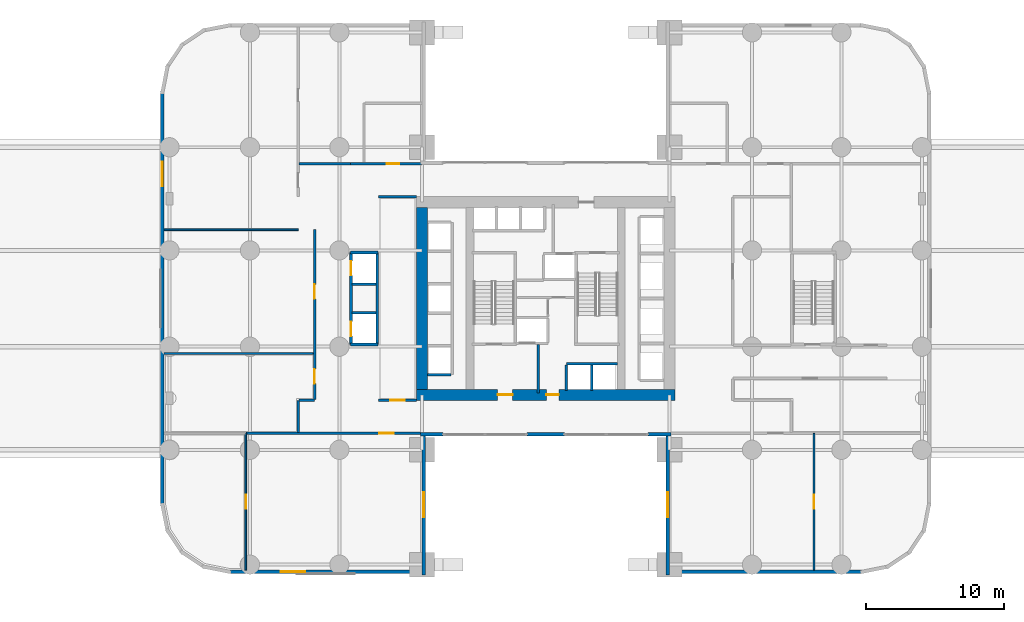
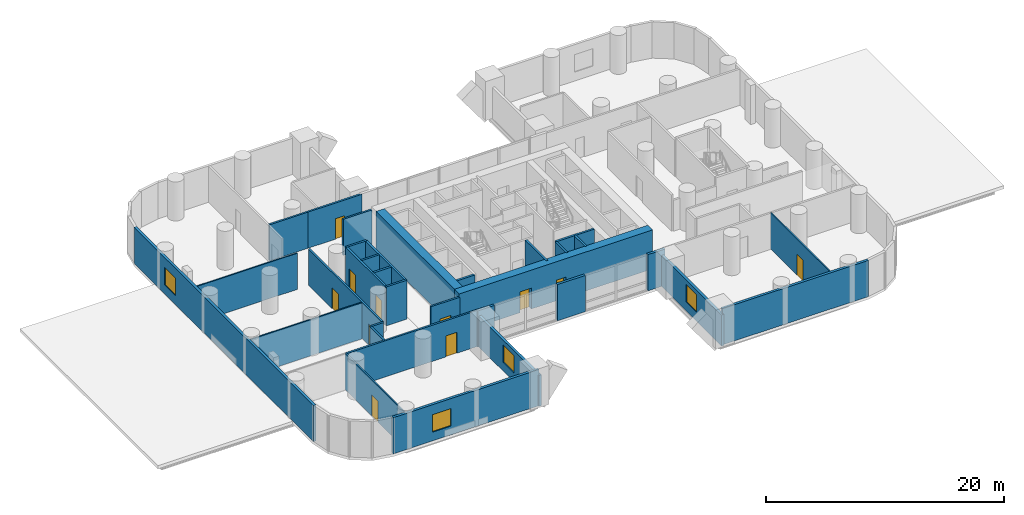
# One storey, part 4 of 8: 33 walls, 11 doors, 4 windows, 15 openings.
"""IFC4 building model written with IfcOpenShell, lengths in metres."""

from ifc_helpers import new_model, si_unit, direction, frame, frame_2d, origin, place, context, subcontext, project, spatial, rectangle, extrude, material, layer, layer_set, type_object, element, fill, save


model = new_model("IFC4")

# Units and contexts
model_context = context("Model", 3, precision=1e-05, world=origin(), true_north=direction((0.0, 1.0)))
body_context = subcontext(model_context, "Body", "Model", "MODEL_VIEW")
ifc_project = project(units=[si_unit("LENGTHUNIT", "METRE"), si_unit("AREAUNIT", "SQUARE_METRE"), si_unit("VOLUMEUNIT", "CUBIC_METRE"), si_unit("PLANEANGLEUNIT", "RADIAN"), si_unit("MASSUNIT", "GRAM", prefix="KILO")], contexts=[model_context])

# Site, building, storey
site_placement = place(None, origin())
site = spatial("IfcSite", under=ifc_project, at=site_placement, CompositionType="ELEMENT")
building_placement = place(site_placement, origin())
building = spatial("IfcBuilding", under=site, at=building_placement, Name="Veldorim Arch Residences", CompositionType="ELEMENT")
storey_placement = place(building_placement, frame((0.0, 0.0, 4.0)))
storey = spatial("IfcBuildingStorey", under=building, at=storey_placement, Name="L01", CompositionType="ELEMENT", Elevation=4.0)

# Wall, opening, door
ifc_material_1 = material(Name="Acoustic Gypsum Board", Category="gypsum")
ifc_layer_1 = layer(ifc_material_1, 0.125, Name="Acoustic Stud Room Partition Wall 125")
ifc_layer_set_1 = layer_set([ifc_layer_1], Name="Acoustic Gypsum Board")
wall_type_1 = type_object("IfcWallType", Name="Acoustic Stud Room Partition Wall 125", PredefinedType="PARTITIONING", material=ifc_layer_set_1)
wall_1_placement = place(storey_placement, frame((10.199951171875, 14.199951171875, 0.0), z_axis=(0.0, 0.0, 1.0), x_axis=(0.0, -1.0, 0.0)))
wall_1 = element("IfcWall", 1, at=wall_1_placement, inside=storey, type_object=wall_type_1, Name="L01 interior wall WL-POD-L01-021", PredefinedType="PARTITIONING", context=body_context, shape_type="SweptSolid", body=[
    extrude(rectangle(XDim=9.949951171875, YDim=0.125, at=frame_2d((4.97509765625, 0.0))), origin(), (0.0, 0.0, 1.0), 3.715087890625),
])
opening_1_placement = place(wall_1_placement, frame((4.449951171875, 0.0, 0.0)))
opening_1 = element("IfcOpeningElement", 2, at=opening_1_placement, cuts=wall_1, Name="Opening DR-CLN", PredefinedType="OPENING", context=body_context, shape_type="SweptSolid", body=[
    extrude(rectangle(XDim=1.050048828125, YDim=2.14990234375, at=frame_2d((0.52490234375, 1.074951171875))), frame((0.0, 0.072509765625, 0.0), z_axis=(0.0, -1.0, 0.0), x_axis=(1.0, 0.0, 0.0)), (0.0, 0.0, 1.0), 0.14501953125),
])
ifc_material_2 = material(Name="Timber & Vision Panel", Category="wood")
door_type_1 = type_object("IfcDoorType", Name="Polyclinic Wheelchair-Accessible Consultation Door 1050x2150", OperationType="SINGLE_SWING_LEFT", PredefinedType="DOOR", material=ifc_material_2)
door_1_placement = place(opening_1_placement, origin())
door_1 = element("IfcDoor", 3, at=door_1_placement, inside=storey, type_object=door_type_1, Name="L01 interior door DR-POD-L01-001", OperationType="SINGLE_SWING_LEFT", OverallHeight=2.14990234375, OverallWidth=1.050048828125, PredefinedType="DOOR", context=body_context, shape_type="SweptSolid", body=[
    extrude(rectangle(XDim=1.050048828125, YDim=2.14990234375, at=frame_2d((0.52490234375, 1.074951171875))), frame((0.0, 0.02490234375, 0.0), z_axis=(0.0, -1.0, 0.0), x_axis=(1.0, 0.0, 0.0)), (0.0, 0.0, 1.0), 0.050048828125),
])
fill(opening_1, door_1)

# Walls
wall_2_placement = place(storey_placement, frame((4.25, 20.0, 0.0), z_axis=(0.0, 0.0, 1.0), x_axis=(1.0, 0.0, 0.0)))
element("IfcWall", 4, at=wall_2_placement, inside=storey, type_object=wall_type_1, Name="L01 interior wall WL-POD-L01-023", PredefinedType="PARTITIONING", context=body_context, shape_type="SweptSolid", body=[
    extrude(rectangle(XDim=10.85009765625, YDim=0.125, at=frame_2d((5.425048828125, 0.0))), origin(), (0.0, 0.0, 1.0), 3.715087890625),
])
wall_3_placement = place(storey_placement, frame((4.25, 29.0, 0.0), z_axis=(0.0, 0.0, 1.0), x_axis=(1.0, 0.0, 0.0)))
element("IfcWall", 5, at=wall_3_placement, inside=storey, type_object=wall_type_1, Name="L01 interior wall WL-POD-L01-024", PredefinedType="PARTITIONING", context=body_context, shape_type="SweptSolid", body=[
    extrude(rectangle(XDim=9.77001953125, YDim=0.125, at=frame_2d((4.885009765625, 0.0))), origin(), (0.0, 0.0, 1.0), 3.715087890625),
])

# Wall, opening, door
wall_4_placement = place(storey_placement, frame((51.5, 14.199951171875, 0.0), z_axis=(0.0, 0.0, 1.0), x_axis=(0.0, -1.0, 0.0)))
wall_4 = element("IfcWall", 6, at=wall_4_placement, inside=storey, type_object=wall_type_1, Name="L01 interior wall WL-POD-L01-027", PredefinedType="PARTITIONING", context=body_context, shape_type="SweptSolid", body=[
    extrude(rectangle(XDim=9.949951171875, YDim=0.125, at=frame_2d((4.97509765625, 0.0))), origin(), (0.0, 0.0, 1.0), 3.715087890625),
])
opening_2_placement = place(wall_4_placement, frame((4.449951171875, 0.0, 0.0)))
opening_2 = element("IfcOpeningElement", 7, at=opening_2_placement, cuts=wall_4, Name="Opening DR-CLN", PredefinedType="OPENING", context=body_context, shape_type="SweptSolid", body=[
    extrude(rectangle(XDim=1.050048828125, YDim=2.14990234375, at=frame_2d((0.52490234375, 1.074951171875))), frame((0.0, 0.072509765625, 0.0), z_axis=(0.0, -1.0, 0.0), x_axis=(1.0, 0.0, 0.0)), (0.0, 0.0, 1.0), 0.14501953125),
])
door_2_placement = place(opening_2_placement, origin())
door_2 = element("IfcDoor", 8, at=door_2_placement, inside=storey, type_object=door_type_1, Name="L01 interior door DR-POD-L01-010", OperationType="SINGLE_SWING_RIGHT", OverallHeight=2.14990234375, OverallWidth=1.050048828125, PredefinedType="DOOR", context=body_context, shape_type="SweptSolid", body=[
    extrude(rectangle(XDim=1.050048828125, YDim=2.14990234375, at=frame_2d((0.52490234375, 1.074951171875))), frame((0.0, 0.02490234375, 0.0), z_axis=(0.0, -1.0, 0.0), x_axis=(1.0, 0.0, 0.0)), (0.0, 0.0, 1.0), 0.050048828125),
])
fill(opening_2, door_2)

ifc_material_3 = material(Name="Lightweight Masonry Block & Gypsum", Category="masonry")
ifc_layer_2 = layer(ifc_material_3, 0.179931640625, Name="Compartment & Corridor Fire-Rated Party Wall 180")
ifc_layer_set_2 = layer_set([ifc_layer_2], Name="Lightweight Masonry Block & Gypsum")
wall_type_2 = type_object("IfcWallType", Name="Compartment & Corridor Fire-Rated Party Wall 180", PredefinedType="PARTITIONING", material=ifc_layer_set_2)
wall_5_placement = place(storey_placement, frame((23.02001953125, 14.199951171875, 0.0), z_axis=(0.0, 0.0, 1.0), x_axis=(-1.0, 0.0, 0.0)))
wall_5 = element("IfcWall", 9, at=wall_5_placement, inside=storey, type_object=wall_type_2, Name="L01 interior wall WL-POD-L01-001", PredefinedType="PARTITIONING", context=body_context, shape_type="SweptSolid", body=[
    extrude(rectangle(XDim=12.820068359375, YDim=0.179931640625, at=frame_2d((6.41015625, 0.0))), origin(), (0.0, 0.0, 1.0), 3.715087890625),
])
opening_3_placement = place(wall_5_placement, frame((2.0849609375, 0.0, 0.0)))
opening_3 = element("IfcOpeningElement", 10, at=opening_3_placement, cuts=wall_5, Name="Opening DR-CLN", PredefinedType="OPENING", context=body_context, shape_type="SweptSolid", body=[
    extrude(rectangle(XDim=1.050048828125, YDim=2.14990234375, at=frame_2d((0.52490234375, 1.074951171875))), frame((0.0, 0.099853515625, 0.0), z_axis=(0.0, -1.0, 0.0), x_axis=(1.0, 0.0, 0.0)), (0.0, 0.0, 1.0), 0.199951171875),
])
door_3_placement = place(opening_3_placement, origin())
door_3 = element("IfcDoor", 11, at=door_3_placement, inside=storey, type_object=door_type_1, Name="L01 interior door DR-POD-L01-002", OperationType="SINGLE_SWING_RIGHT", OverallHeight=2.14990234375, OverallWidth=1.050048828125, PredefinedType="DOOR", context=body_context, shape_type="SweptSolid", body=[
    extrude(rectangle(XDim=1.050048828125, YDim=2.14990234375, at=frame_2d((0.52490234375, 1.074951171875))), frame((0.0, 0.02490234375, 0.0), z_axis=(0.0, -1.0, 0.0), x_axis=(1.0, 0.0, 0.0)), (0.0, 0.0, 1.0), 0.050048828125),
])
fill(opening_3, door_3)

# Walls
wall_6_placement = place(storey_placement, frame((14.0, 14.260009765625, 0.0), z_axis=(0.0, 0.0, 1.0), x_axis=(0.0, 1.0, 0.0)))
element("IfcWall", 12, at=wall_6_placement, inside=storey, type_object=wall_type_2, Name="L01 interior wall WL-POD-L01-002", PredefinedType="PARTITIONING", context=body_context, shape_type="SweptSolid", body=[
    extrude(rectangle(XDim=2.340087890625, YDim=0.179931640625, at=frame_2d((1.169921875, 0.0))), origin(), (0.0, 0.0, 1.0), 3.715087890625),
])
wall_7_placement = place(storey_placement, frame((14.06005859375, 16.60009765625, 0.0), z_axis=(0.0, 0.0, 1.0), x_axis=(1.0, 0.0, 0.0)))
element("IfcWall", 13, at=wall_7_placement, inside=storey, type_object=wall_type_2, Name="L01 interior wall WL-POD-L01-003", PredefinedType="PARTITIONING", context=body_context, shape_type="SweptSolid", body=[
    extrude(rectangle(XDim=1.139892578125, YDim=0.179931640625, at=frame_2d((0.56982421875, 0.0))), origin(), (0.0, 0.0, 1.0), 3.715087890625),
])

# Wall, openings, doors
wall_8_placement = place(storey_placement, frame((15.199951171875, 16.659912109375, 0.0), z_axis=(0.0, 0.0, 1.0), x_axis=(0.0, 1.0, 0.0)))
wall_8 = element("IfcWall", 14, at=wall_8_placement, inside=storey, type_object=wall_type_2, Name="L01 interior wall WL-POD-L01-004", PredefinedType="PARTITIONING", context=body_context, shape_type="SweptSolid", body=[
    extrude(rectangle(XDim=12.360107421875, YDim=0.179931640625, at=frame_2d((6.18017578125, 0.0))), origin(), (0.0, 0.0, 1.0), 3.715087890625),
])
opening_4_placement = place(wall_8_placement, frame((1.155029296875, 0.0, 0.0)))
opening_4 = element("IfcOpeningElement", 15, at=opening_4_placement, cuts=wall_8, Name="Opening DR-CLN", PredefinedType="OPENING", context=body_context, shape_type="SweptSolid", body=[
    extrude(rectangle(XDim=1.050048828125, YDim=2.14990234375, at=frame_2d((0.52490234375, 1.074951171875))), frame((0.0, 0.099853515625, 0.0), z_axis=(0.0, -1.0, 0.0), x_axis=(1.0, 0.0, 0.0)), (0.0, 0.0, 1.0), 0.199951171875),
])
opening_5_placement = place(wall_8_placement, frame((7.31494140625, 0.0, 0.0)))
opening_5 = element("IfcOpeningElement", 16, at=opening_5_placement, cuts=wall_8, Name="Opening DR-CLN", PredefinedType="OPENING", context=body_context, shape_type="SweptSolid", body=[
    extrude(rectangle(XDim=1.050048828125, YDim=2.14990234375, at=frame_2d((0.52490234375, 1.074951171875))), frame((0.0, 0.099853515625, 0.0), z_axis=(0.0, -1.0, 0.0), x_axis=(1.0, 0.0, 0.0)), (0.0, 0.0, 1.0), 0.199951171875),
])
door_4_placement = place(opening_4_placement, origin())
door_4 = element("IfcDoor", 17, at=door_4_placement, inside=storey, type_object=door_type_1, Name="L01 interior door DR-POD-L01-003", OperationType="SINGLE_SWING_LEFT", OverallHeight=2.14990234375, OverallWidth=1.050048828125, PredefinedType="DOOR", context=body_context, shape_type="SweptSolid", body=[
    extrude(rectangle(XDim=1.050048828125, YDim=2.14990234375, at=frame_2d((0.52490234375, 1.074951171875))), frame((0.0, 0.02490234375, 0.0), z_axis=(0.0, -1.0, 0.0), x_axis=(1.0, 0.0, 0.0)), (0.0, 0.0, 1.0), 0.050048828125),
])
fill(opening_4, door_4)
door_5_placement = place(opening_5_placement, origin())
door_5 = element("IfcDoor", 18, at=door_5_placement, inside=storey, type_object=door_type_1, Name="L01 interior door DR-POD-L01-004", OperationType="SINGLE_SWING_RIGHT", OverallHeight=2.14990234375, OverallWidth=1.050048828125, PredefinedType="DOOR", context=body_context, shape_type="SweptSolid", body=[
    extrude(rectangle(XDim=1.050048828125, YDim=2.14990234375, at=frame_2d((0.52490234375, 1.074951171875))), frame((0.0, 0.02490234375, 0.0), z_axis=(0.0, -1.0, 0.0), x_axis=(1.0, 0.0, 0.0)), (0.0, 0.0, 1.0), 0.050048828125),
])
fill(opening_5, door_5)

# Wall, opening, door
wall_9_placement = place(storey_placement, frame((17.800048828125, 33.800048828125, 0.0), z_axis=(0.0, 0.0, 1.0), x_axis=(1.0, 0.0, 0.0)))
wall_9 = element("IfcWall", 19, at=wall_9_placement, inside=storey, type_object=wall_type_2, Name="L01 interior wall WL-POD-L01-006", PredefinedType="PARTITIONING", context=body_context, shape_type="SweptSolid", body=[
    extrude(rectangle(XDim=5.219970703125, YDim=0.179931640625, at=frame_2d((2.60986328125, 0.0))), origin(), (0.0, 0.0, 1.0), 3.715087890625),
])
opening_6_placement = place(wall_9_placement, frame((2.64990234375, 0.0, 0.0)))
opening_6 = element("IfcOpeningElement", 20, at=opening_6_placement, cuts=wall_9, Name="Opening DR-WC", PredefinedType="OPENING", context=body_context, shape_type="SweptSolid", body=[
    extrude(rectangle(XDim=0.89990234375, YDim=2.10009765625, at=frame_2d((0.449951171875, 1.050048828125))), frame((0.0, 0.099853515625, 0.0), z_axis=(0.0, -1.0, 0.0), x_axis=(1.0, 0.0, 0.0)), (0.0, 0.0, 1.0), 0.199951171875),
])
ifc_material_4 = material(Name="Laminate Timber", Category="wood")
door_type_2 = type_object("IfcDoorType", Name="Bathroom & Accessible WC Moisture-Sealed Door 900x2100", OperationType="SINGLE_SWING_LEFT", PredefinedType="DOOR", material=ifc_material_4)
door_6_placement = place(opening_6_placement, origin())
door_6 = element("IfcDoor", 21, at=door_6_placement, inside=storey, type_object=door_type_2, Name="L01 interior door DR-POD-L01-006", OperationType="SINGLE_SWING_RIGHT", OverallHeight=2.10009765625, OverallWidth=0.89990234375, PredefinedType="DOOR", context=body_context, shape_type="SweptSolid", body=[
    extrude(rectangle(XDim=0.89990234375, YDim=2.10009765625, at=frame_2d((0.449951171875, 1.050048828125))), frame((0.0, 0.02490234375, 0.0), z_axis=(0.0, -1.0, 0.0), x_axis=(1.0, 0.0, 0.0)), (0.0, 0.0, 1.0), 0.050048828125),
])
fill(opening_6, door_6)

# Wall
wall_10_placement = place(storey_placement, frame((14.06005859375, 33.800048828125, 0.0), z_axis=(0.0, 0.0, 1.0), x_axis=(1.0, 0.0, 0.0)))
element("IfcWall", 22, at=wall_10_placement, inside=storey, type_object=wall_type_2, Name="L01 interior wall WL-POD-L01-007", PredefinedType="PARTITIONING", context=body_context, shape_type="SweptSolid", body=[
    extrude(rectangle(XDim=3.739990234375, YDim=0.179931640625, at=frame_2d((1.8701171875, 0.0))), origin(), (0.0, 0.0, 1.0), 3.715087890625),
])

# Wall, opening, door
wall_11_placement = place(storey_placement, frame((19.830078125, 16.60009765625, 0.0), z_axis=(0.0, 0.0, 1.0), x_axis=(1.0, 0.0, 0.0)))
wall_11 = element("IfcWall", 23, at=wall_11_placement, inside=storey, type_object=wall_type_2, Name="L01 interior wall WL-POD-L01-008", PredefinedType="PARTITIONING", context=body_context, shape_type="SweptSolid", body=[
    extrude(rectangle(XDim=2.77001953125, YDim=0.179931640625, at=frame_2d((1.385009765625, 0.0))), origin(), (0.0, 0.0, 1.0), 3.715087890625),
])
opening_7_placement = place(wall_11_placement, frame((0.860107421875, 0.0, 0.0)))
opening_7 = element("IfcOpeningElement", 24, at=opening_7_placement, cuts=wall_11, Name="Opening DR-CLN", PredefinedType="OPENING", context=body_context, shape_type="SweptSolid", body=[
    extrude(rectangle(XDim=1.050048828125, YDim=2.14990234375, at=frame_2d((0.52490234375, 1.074951171875))), frame((0.0, 0.099853515625, 0.0), z_axis=(0.0, -1.0, 0.0), x_axis=(1.0, 0.0, 0.0)), (0.0, 0.0, 1.0), 0.199951171875),
])
door_7_placement = place(opening_7_placement, origin())
door_7 = element("IfcDoor", 25, at=door_7_placement, inside=storey, type_object=door_type_1, Name="L01 interior door DR-POD-L01-008", OperationType="SINGLE_SWING_RIGHT", OverallHeight=2.14990234375, OverallWidth=1.050048828125, PredefinedType="DOOR", context=body_context, shape_type="SweptSolid", body=[
    extrude(rectangle(XDim=1.050048828125, YDim=2.14990234375, at=frame_2d((0.52490234375, 1.074951171875))), frame((0.0, 0.02490234375, 0.0), z_axis=(0.0, -1.0, 0.0), x_axis=(1.0, 0.0, 0.0)), (0.0, 0.0, 1.0), 0.050048828125),
])
fill(opening_7, door_7)

# Walls
wall_12_placement = place(storey_placement, frame((22.60009765625, 31.39990234375, 0.0), z_axis=(0.0, 0.0, 1.0), x_axis=(-1.0, 0.0, 0.0)))
element("IfcWall", 26, at=wall_12_placement, inside=storey, type_object=wall_type_2, Name="L01 interior wall WL-POD-L01-009", PredefinedType="PARTITIONING", context=body_context, shape_type="SweptSolid", body=[
    extrude(rectangle(XDim=2.77001953125, YDim=0.179931640625, at=frame_2d((1.385009765625, 0.0))), origin(), (0.0, 0.0, 1.0), 3.715087890625),
])
ifc_material_5 = material(Name="Concrete C50/60", Category="concrete")
ifc_layer_3 = layer(ifc_material_5, 0.199951171875, Name="Core Stair & Lift Shaft Enclosure Wall 200")
ifc_layer_set_3 = layer_set([ifc_layer_3], Name="Concrete C50/60")
wall_type_3 = type_object("IfcWallType", Name="Core Stair & Lift Shaft Enclosure Wall 200", PredefinedType="SHEAR", material=ifc_layer_set_3)
wall_13_placement = place(storey_placement, frame((31.449951171875, 17.14990234375, 0.0), z_axis=(0.0, 0.0, 1.0), x_axis=(0.0, 1.0, 0.0)))
element("IfcWall", 27, at=wall_13_placement, inside=storey, type_object=wall_type_3, Name="L01 shaft wall WL-FFL1-L01-E", PredefinedType="SHEAR", context=body_context, shape_type="SweptSolid", body=[
    extrude(rectangle(XDim=3.5, YDim=0.199951171875, at=frame_2d((1.75, 0.0))), origin(), (0.0, 0.0, 1.0), 4.0),
])
wall_14_placement = place(storey_placement, frame((23.419921875, 18.4599609375, 0.0), z_axis=(0.0, 0.0, 1.0), x_axis=(1.0, 0.0, 0.0)))
element("IfcWall", 28, at=wall_14_placement, inside=storey, type_object=wall_type_3, Name="L01 shaft wall WL-B2-L01-S", PredefinedType="SHEAR", context=body_context, shape_type="SweptSolid", body=[
    extrude(rectangle(XDim=1.7099609375, YDim=0.199951171875, at=frame_2d((0.85498046875, 0.0))), origin(), (0.0, 0.0, 1.0), 4.0),
])
wall_15_placement = place(storey_placement, frame((33.5, 19.25, 0.0), z_axis=(0.0, 0.0, 1.0), x_axis=(1.0, 0.0, 0.0)))
element("IfcWall", 29, at=wall_15_placement, inside=storey, type_object=wall_type_3, Name="L01 shaft wall WL-OL-L01-N", PredefinedType="SHEAR", context=body_context, shape_type="SweptSolid", body=[
    extrude(rectangle(XDim=3.719970703125, YDim=0.199951171875, at=frame_2d((1.85986328125, 0.0))), origin(), (0.0, 0.0, 1.0), 4.0),
])
for number, where, z_axis, x_axis, name in (
    (30, (33.5, 17.320068359375, 0.0), (0.0, 0.0, 1.0), (0.0, 1.0, 0.0), "L01 shaft wall WL-OL-L01-W"),
    (31, (35.35009765625, 17.320068359375, 0.0), (0.0, 0.0, 1.0), (0.0, 1.0, 0.0), "L01 shaft wall WL-OL-L01-D1"),
):
    element("IfcWall", number, at=place(storey_placement, frame(where, z_axis=z_axis, x_axis=x_axis)), inside=storey, type_object=wall_type_3, Name=name, PredefinedType="SHEAR", context=body_context, shape_type="SweptSolid", body=[
        extrude(rectangle(XDim=1.85986328125, YDim=0.199951171875, at=frame_2d((0.929931640625, 0.0))), origin(), (0.0, 0.0, 1.0), 4.0),
    ])

# Wall, openings, doors
wall_16_placement = place(storey_placement, frame((17.85009765625, 20.64990234375, 0.0), z_axis=(0.0, 0.0, 1.0), x_axis=(0.0, 1.0, 0.0)))
wall_16 = element("IfcWall", 32, at=wall_16_placement, inside=storey, type_object=wall_type_3, Name="L01 shaft wall WL-SHF-L01-CL-W", PredefinedType="SHEAR", context=body_context, shape_type="SweptSolid", body=[
    extrude(rectangle(XDim=6.7001953125, YDim=0.199951171875, at=frame_2d((3.35009765625, 0.0))), origin(), (0.0, 0.0, 1.0), 4.0),
])
opening_8_placement = place(wall_16_placement, frame((0.625, 0.0, 0.0)))
opening_8 = element("IfcOpeningElement", 33, at=opening_8_placement, cuts=wall_16, Name="Opening LD-PS", PredefinedType="OPENING", context=body_context, shape_type="SweptSolid", body=[
    extrude(rectangle(XDim=1.050048828125, YDim=2.14990234375, at=frame_2d((0.52490234375, 1.074951171875))), frame((0.0, 0.10986328125, 0.0), z_axis=(0.0, -1.0, 0.0), x_axis=(1.0, 0.0, 0.0)), (0.0, 0.0, 1.0), 0.219970703125),
])
opening_9_placement = place(wall_16_placement, frame((5.02490234375, 0.0, 0.0)))
opening_9 = element("IfcOpeningElement", 34, at=opening_9_placement, cuts=wall_16, Name="Opening LD-PS", PredefinedType="OPENING", context=body_context, shape_type="SweptSolid", body=[
    extrude(rectangle(XDim=1.050048828125, YDim=2.14990234375, at=frame_2d((0.52490234375, 1.074951171875))), frame((0.0, 0.10986328125, 0.0), z_axis=(0.0, -1.0, 0.0), x_axis=(1.0, 0.0, 0.0)), (0.0, 0.0, 1.0), 0.219970703125),
])
ifc_material_6 = material(Name="Stainless Steel", Category="steel")
door_type_3 = type_object("IfcDoorType", Name="Passenger Lift Bi-Parting Sliding Landing Door 1050x2150", OperationType="DOUBLE_DOOR_SLIDING", PredefinedType="DOOR", material=ifc_material_6)
door_8_placement = place(opening_8_placement, origin())
door_8 = element("IfcDoor", 35, at=door_8_placement, inside=storey, type_object=door_type_3, Name="L01 lift landing door LD-L01-CL-01", OperationType="DOUBLE_DOOR_SLIDING", OverallHeight=2.14990234375, OverallWidth=1.050048828125, PredefinedType="DOOR", context=body_context, shape_type="SweptSolid", body=[
    extrude(rectangle(XDim=1.050048828125, YDim=2.14990234375, at=frame_2d((0.52490234375, 1.074951171875))), frame((0.0, 0.02490234375, 0.0), z_axis=(0.0, -1.0, 0.0), x_axis=(1.0, 0.0, 0.0)), (0.0, 0.0, 1.0), 0.050048828125),
])
fill(opening_8, door_8)
door_9_placement = place(opening_9_placement, origin())
door_9 = element("IfcDoor", 36, at=door_9_placement, inside=storey, type_object=door_type_3, Name="L01 lift landing door LD-L01-CL-02", OperationType="DOUBLE_DOOR_SLIDING", OverallHeight=2.14990234375, OverallWidth=1.050048828125, PredefinedType="DOOR", context=body_context, shape_type="SweptSolid", body=[
    extrude(rectangle(XDim=1.050048828125, YDim=2.14990234375, at=frame_2d((0.52490234375, 1.074951171875))), frame((0.0, 0.02490234375, 0.0), z_axis=(0.0, -1.0, 0.0), x_axis=(1.0, 0.0, 0.0)), (0.0, 0.0, 1.0), 0.050048828125),
])
fill(opening_9, door_9)

# Walls
wall_17_placement = place(storey_placement, frame((19.75, 20.64990234375, 0.0), z_axis=(0.0, 0.0, 1.0), x_axis=(0.0, 1.0, 0.0)))
element("IfcWall", 37, at=wall_17_placement, inside=storey, type_object=wall_type_3, Name="L01 shaft wall WL-SHF-L01-CL-E", PredefinedType="SHEAR", context=body_context, shape_type="SweptSolid", body=[
    extrude(rectangle(XDim=6.7001953125, YDim=0.199951171875, at=frame_2d((3.35009765625, 0.0))), origin(), (0.0, 0.0, 1.0), 4.0),
])
for number, where, z_axis, x_axis, name in (
    (38, (17.800048828125, 20.64990234375, 0.0), (0.0, 0.0, 1.0), (1.0, 0.0, 0.0), "L01 shaft wall WL-SHF-L01-CL-S"),
    (39, (17.800048828125, 27.35009765625, 0.0), (0.0, 0.0, 1.0), (1.0, 0.0, 0.0), "L01 shaft wall WL-SHF-L01-CL-N"),
):
    element("IfcWall", number, at=place(storey_placement, frame(where, z_axis=z_axis, x_axis=x_axis)), inside=storey, type_object=wall_type_3, Name=name, PredefinedType="SHEAR", context=body_context, shape_type="SweptSolid", body=[
        extrude(rectangle(XDim=2.0, YDim=0.199951171875, at=frame_2d((1.0, 0.0))), origin(), (0.0, 0.0, 1.0), 4.0),
    ])
for number, where, z_axis, x_axis, name in (
    (40, (17.919921875, 22.969970703125, 0.0), (0.0, 0.0, 1.0), (1.0, 0.0, 0.0), "L01 shaft wall WL-SHF-L01-CL-M1"),
    (41, (17.919921875, 25.030029296875, 0.0), (0.0, 0.0, 1.0), (1.0, 0.0, 0.0), "L01 shaft wall WL-SHF-L01-CL-M2"),
):
    element("IfcWall", number, at=place(storey_placement, frame(where, z_axis=z_axis, x_axis=x_axis)), inside=storey, type_object=wall_type_3, Name=name, PredefinedType="SHEAR", context=body_context, shape_type="SweptSolid", body=[
        extrude(rectangle(XDim=1.760009765625, YDim=0.199951171875, at=frame_2d((0.8798828125, 0.0))), origin(), (0.0, 0.0, 1.0), 4.0),
    ])

# Wall, openings, doors
ifc_material_7 = material(Name="Concrete C60/75", Category="concrete")
ifc_layer_4 = layer(ifc_material_7, 0.800048828125, Name="Lower Central Core Shear Wall 800")
ifc_layer_set_4 = layer_set([ifc_layer_4], Name="Concrete C60/75")
wall_type_4 = type_object("IfcWallType", Name="Lower Central Core Shear Wall 800", PredefinedType="SHEAR", material=ifc_layer_set_4)
wall_18_placement = place(storey_placement, frame((22.60009765625, 17.0, 0.0), z_axis=(0.0, 0.0, 1.0), x_axis=(1.0, 0.0, 0.0)))
wall_18 = element("IfcWall", 42, at=wall_18_placement, inside=storey, type_object=wall_type_4, Name="L01 central core south shear wall", PredefinedType="SHEAR", context=body_context, shape_type="SweptSolid", body=[
    extrude(rectangle(XDim=18.7998046875, YDim=0.800048828125, at=frame_2d((9.39990234375, 0.0))), origin(), (0.0, 0.0, 1.0), 4.0),
])
opening_10_placement = place(wall_18_placement, frame((5.89990234375, 0.0, 0.0)))
opening_10 = element("IfcOpeningElement", 43, at=opening_10_placement, cuts=wall_18, Name="Opening DR-FFL", PredefinedType="OPENING", context=body_context, shape_type="SweptSolid", body=[
    extrude(rectangle(XDim=1.10009765625, YDim=2.14990234375, at=frame_2d((0.550048828125, 1.074951171875))), frame((0.0, 0.409912109375, 0.0), z_axis=(0.0, -1.0, 0.0), x_axis=(1.0, 0.0, 0.0)), (0.0, 0.0, 1.0), 0.820068359375),
])
opening_11_placement = place(wall_18_placement, frame((9.449951171875, 0.0, 0.0)))
opening_11 = element("IfcOpeningElement", 44, at=opening_11_placement, cuts=wall_18, Name="Opening DR-SVC", PredefinedType="OPENING", context=body_context, shape_type="SweptSolid", body=[
    extrude(rectangle(XDim=0.89990234375, YDim=2.10009765625, at=frame_2d((0.449951171875, 1.050048828125))), frame((0.0, 0.409912109375, 0.0), z_axis=(0.0, -1.0, 0.0), x_axis=(1.0, 0.0, 0.0)), (0.0, 0.0, 1.0), 0.820068359375),
])
ifc_material_8 = material(Name="Fire-Rated Steel & Vision Glass", Category="steel")
door_type_4 = type_object("IfcDoorType", Name="Firefighting Lobby Smoke-Stop Fire Door 1100x2150", OperationType="SINGLE_SWING_LEFT", PredefinedType="DOOR", material=ifc_material_8)
door_10_placement = place(opening_10_placement, origin())
door_10 = element("IfcDoor", 45, at=door_10_placement, inside=storey, type_object=door_type_4, Name="L01 interior door DR-L01-FFL1", OperationType="SINGLE_SWING_RIGHT", OverallHeight=2.14990234375, OverallWidth=1.10009765625, PredefinedType="DOOR", context=body_context, shape_type="SweptSolid", body=[
    extrude(rectangle(XDim=1.10009765625, YDim=2.14990234375, at=frame_2d((0.550048828125, 1.074951171875))), frame((0.0, 0.02490234375, 0.0), z_axis=(0.0, -1.0, 0.0), x_axis=(1.0, 0.0, 0.0)), (0.0, 0.0, 1.0), 0.050048828125),
])
fill(opening_10, door_10)
ifc_material_9 = material(Name="Fire-Rated Steel", Category="steel")
door_type_5 = type_object("IfcDoorType", Name="Riser, Shelter & Plant Room Rated Steel Door 900x2100", OperationType="SINGLE_SWING_LEFT", PredefinedType="DOOR", material=ifc_material_9)
door_11_placement = place(opening_11_placement, origin())
door_11 = element("IfcDoor", 46, at=door_11_placement, inside=storey, type_object=door_type_5, Name="L01 interior door DR-L01-COR-ANC", OperationType="SINGLE_SWING_LEFT", OverallHeight=2.10009765625, OverallWidth=0.89990234375, PredefinedType="DOOR", context=body_context, shape_type="SweptSolid", body=[
    extrude(rectangle(XDim=0.89990234375, YDim=2.10009765625, at=frame_2d((0.449951171875, 1.050048828125))), frame((0.0, 0.02490234375, 0.0), z_axis=(0.0, -1.0, 0.0), x_axis=(1.0, 0.0, 0.0)), (0.0, 0.0, 1.0), 0.050048828125),
])
fill(opening_11, door_11)

# Walls
wall_19_placement = place(storey_placement, frame((23.0, 17.39990234375, 0.0), z_axis=(0.0, 0.0, 1.0), x_axis=(0.0, 1.0, 0.0)))
element("IfcWall", 47, at=wall_19_placement, inside=storey, type_object=wall_type_4, Name="L01 central core west shear wall", PredefinedType="SHEAR", context=body_context, shape_type="SweptSolid", body=[
    extrude(rectangle(XDim=13.2001953125, YDim=0.800048828125, at=frame_2d((6.60009765625, 0.0))), origin(), (0.0, 0.0, 1.0), 4.0),
])
ifc_material_10 = material(Name="Precast concrete C40/50", Category="concrete")
ifc_layer_5 = layer(ifc_material_10, 0.25, Name="Podium Terracotta Insulated Facade Wall 250")
ifc_layer_set_5 = layer_set([ifc_layer_5], Name="Precast concrete C40/50")
wall_type_5 = type_object("IfcWallType", Name="Podium Terracotta Insulated Facade Wall 250", PredefinedType="SOLIDWALL", material=ifc_layer_set_5)
wall_20_placement = place(storey_placement, frame((55.10009765625, 4.125, 0.0), z_axis=(0.0, 0.0, 1.0), x_axis=(-1.0, 0.0, 0.0)))
element("IfcWall", 48, at=wall_20_placement, inside=storey, type_object=wall_type_5, Name="L01 podium terracotta facade wall 09", PredefinedType="SOLIDWALL", context=body_context, shape_type="SweptSolid", body=[
    extrude(rectangle(XDim=14.2001953125, YDim=0.25, at=frame_2d((7.10009765625, 0.0))), origin(), (0.0, 0.0, 1.0), 3.719970703125),
])

# Wall, opening, window
wall_21_placement = place(storey_placement, frame((40.875, 14.10009765625, 0.0), z_axis=(0.0, 0.0, 1.0), x_axis=(0.0, -1.0, 0.0)))
wall_21 = element("IfcWall", 49, at=wall_21_placement, inside=storey, type_object=wall_type_5, Name="L01 podium terracotta facade wall 10", PredefinedType="SOLIDWALL", context=body_context, shape_type="SweptSolid", body=[
    extrude(rectangle(XDim=10.2001953125, YDim=0.25, at=frame_2d((5.10009765625, 0.0))), origin(), (0.0, 0.0, 1.0), 3.17822265625),
])
opening_12_placement = place(wall_21_placement, frame((4.199951171875, 0.0, 0.89990234375)))
opening_12 = element("IfcOpeningElement", 50, at=opening_12_placement, cuts=wall_21, Name="Opening WN-01", PredefinedType="OPENING", context=body_context, shape_type="SweptSolid", body=[
    extrude(rectangle(XDim=1.800048828125, YDim=1.800048828125, at=frame_2d((0.89990234375, 0.89990234375))), frame((0.0, 0.135009765625, 0.0), z_axis=(0.0, -1.0, 0.0), x_axis=(1.0, 0.0, 0.0)), (0.0, 0.0, 1.0), 0.27001953125),
])
ifc_material_11 = material(Name="Laminated Low-E Glass", Category="glass")
window_type = type_object("IfcWindowType", Name="Polyclinic Double-Glazed Window 1800x1800", PartitioningType="SINGLE_PANEL", PredefinedType="WINDOW", material=ifc_material_11)
window_1_placement = place(opening_12_placement, origin())
window_1 = element("IfcWindow", 51, at=window_1_placement, inside=storey, type_object=window_type, Name="L01 outpatient clinic window 10-1", OverallHeight=1.800048828125, OverallWidth=1.800048828125, PartitioningType="SINGLE_PANEL", PredefinedType="WINDOW", context=body_context, shape_type="SweptSolid", body=[
    extrude(rectangle(XDim=1.800048828125, YDim=1.800048828125, at=frame_2d((0.89990234375, 0.89990234375))), frame((0.0, 0.030029296875, 0.0), z_axis=(0.0, -1.0, 0.0), x_axis=(1.0, 0.0, 0.0)), (0.0, 0.0, 1.0), 0.06005859375),
])
fill(opening_12, window_1)

# Walls
wall_22_placement = place(storey_placement, frame((41.10009765625, 14.125, 0.0), z_axis=(0.0, 0.0, 1.0), x_axis=(-1.0, 0.0, 0.0)))
element("IfcWall", 52, at=wall_22_placement, inside=storey, type_object=wall_type_5, Name="L01 podium facade pier wall 11A", PredefinedType="SOLIDWALL", context=body_context, shape_type="SweptSolid", body=[
    extrude(rectangle(XDim=1.650146484375, YDim=0.25, at=frame_2d((0.8251953125, 0.0))), origin(), (0.0, 0.0, 1.0), 3.719970703125),
])
wall_23_placement = place(storey_placement, frame((33.35009765625, 14.125, 0.0), z_axis=(0.0, 0.0, 1.0), x_axis=(-1.0, 0.0, 0.0)))
element("IfcWall", 53, at=wall_23_placement, inside=storey, type_object=wall_type_5, Name="L01 podium facade pier wall 11M", PredefinedType="SOLIDWALL", context=body_context, shape_type="SweptSolid", body=[
    extrude(rectangle(XDim=2.7001953125, YDim=0.25, at=frame_2d((1.35009765625, 0.0))), origin(), (0.0, 0.0, 1.0), 3.719970703125),
])
wall_24_placement = place(storey_placement, frame((24.550048828125, 14.125, 0.0), z_axis=(0.0, 0.0, 1.0), x_axis=(-1.0, 0.0, 0.0)))
element("IfcWall", 54, at=wall_24_placement, inside=storey, type_object=wall_type_5, Name="L01 podium facade pier wall 11B", PredefinedType="SOLIDWALL", context=body_context, shape_type="SweptSolid", body=[
    extrude(rectangle(XDim=1.650146484375, YDim=0.25, at=frame_2d((0.8251953125, 0.0))), origin(), (0.0, 0.0, 1.0), 3.719970703125),
])

# Wall, opening, window
wall_25_placement = place(storey_placement, frame((23.125, 3.89990234375, 0.0), z_axis=(0.0, 0.0, 1.0), x_axis=(0.0, 1.0, 0.0)))
wall_25 = element("IfcWall", 55, at=wall_25_placement, inside=storey, type_object=wall_type_5, Name="L01 podium terracotta facade wall 12", PredefinedType="SOLIDWALL", context=body_context, shape_type="SweptSolid", body=[
    extrude(rectangle(XDim=10.2001953125, YDim=0.25, at=frame_2d((5.10009765625, 0.0))), origin(), (0.0, 0.0, 1.0), 3.17822265625),
])
opening_13_placement = place(wall_25_placement, frame((4.199951171875, 0.0, 0.89990234375)))
opening_13 = element("IfcOpeningElement", 56, at=opening_13_placement, cuts=wall_25, Name="Opening WN-01", PredefinedType="OPENING", context=body_context, shape_type="SweptSolid", body=[
    extrude(rectangle(XDim=1.800048828125, YDim=1.800048828125, at=frame_2d((0.89990234375, 0.89990234375))), frame((0.0, 0.135009765625, 0.0), z_axis=(0.0, -1.0, 0.0), x_axis=(1.0, 0.0, 0.0)), (0.0, 0.0, 1.0), 0.27001953125),
])
window_2_placement = place(opening_13_placement, origin())
window_2 = element("IfcWindow", 57, at=window_2_placement, inside=storey, type_object=window_type, Name="L01 outpatient clinic window 12-1", OverallHeight=1.800048828125, OverallWidth=1.800048828125, PartitioningType="SINGLE_PANEL", PredefinedType="WINDOW", context=body_context, shape_type="SweptSolid", body=[
    extrude(rectangle(XDim=1.800048828125, YDim=1.800048828125, at=frame_2d((0.89990234375, 0.89990234375))), frame((0.0, 0.030029296875, 0.0), z_axis=(0.0, -1.0, 0.0), x_axis=(1.0, 0.0, 0.0)), (0.0, 0.0, 1.0), 0.06005859375),
])
fill(opening_13, window_2)

wall_26_placement = place(storey_placement, frame((23.10009765625, 4.125, 0.0), z_axis=(0.0, 0.0, 1.0), x_axis=(-1.0, 0.0, 0.0)))
wall_26 = element("IfcWall", 58, at=wall_26_placement, inside=storey, type_object=wall_type_5, Name="L01 podium terracotta facade wall 13", PredefinedType="SOLIDWALL", context=body_context, shape_type="SweptSolid", body=[
    extrude(rectangle(XDim=14.2001953125, YDim=0.25, at=frame_2d((7.10009765625, 0.0))), origin(), (0.0, 0.0, 1.0), 3.719970703125),
])
opening_14_placement = place(wall_26_placement, frame((8.56689453125, 0.0, 0.89990234375)))
opening_14 = element("IfcOpeningElement", 59, at=opening_14_placement, cuts=wall_26, Name="Opening WN-01", PredefinedType="OPENING", context=body_context, shape_type="SweptSolid", body=[
    extrude(rectangle(XDim=1.800048828125, YDim=1.800048828125, at=frame_2d((0.89990234375, 0.89990234375))), frame((0.0, 0.135009765625, 0.0), z_axis=(0.0, -1.0, 0.0), x_axis=(1.0, 0.0, 0.0)), (0.0, 0.0, 1.0), 0.27001953125),
])
window_3_placement = place(opening_14_placement, origin())
window_3 = element("IfcWindow", 60, at=window_3_placement, inside=storey, type_object=window_type, Name="L01 outpatient clinic window 13-2", OverallHeight=1.800048828125, OverallWidth=1.800048828125, PartitioningType="SINGLE_PANEL", PredefinedType="WINDOW", context=body_context, shape_type="SweptSolid", body=[
    extrude(rectangle(XDim=1.800048828125, YDim=1.800048828125, at=frame_2d((0.89990234375, 0.89990234375))), frame((0.0, 0.030029296875, 0.0), z_axis=(0.0, -1.0, 0.0), x_axis=(1.0, 0.0, 0.0)), (0.0, 0.0, 1.0), 0.06005859375),
])
fill(opening_14, window_3)

wall_27_placement = place(storey_placement, frame((4.125, 8.89990234375, 0.0), z_axis=(0.0, 0.0, 1.0), x_axis=(0.0, 1.0, 0.0)))
wall_27 = element("IfcWall", 61, at=wall_27_placement, inside=storey, type_object=wall_type_5, Name="L01 podium terracotta facade wall 18", PredefinedType="SOLIDWALL", context=body_context, shape_type="SweptSolid", body=[
    extrude(rectangle(XDim=30.2001953125, YDim=0.25, at=frame_2d((15.10009765625, 0.0))), origin(), (0.0, 0.0, 1.0), 3.719970703125),
])
opening_15_placement = place(wall_27_placement, frame((23.260009765625, 0.0, 0.89990234375)))
opening_15 = element("IfcOpeningElement", 62, at=opening_15_placement, cuts=wall_27, Name="Opening WN-01", PredefinedType="OPENING", context=body_context, shape_type="SweptSolid", body=[
    extrude(rectangle(XDim=1.800048828125, YDim=1.800048828125, at=frame_2d((0.89990234375, 0.89990234375))), frame((0.0, 0.135009765625, 0.0), z_axis=(0.0, -1.0, 0.0), x_axis=(1.0, 0.0, 0.0)), (0.0, 0.0, 1.0), 0.27001953125),
])
window_4_placement = place(opening_15_placement, origin())
window_4 = element("IfcWindow", 63, at=window_4_placement, inside=storey, type_object=window_type, Name="L01 outpatient clinic window 18-4", OverallHeight=1.800048828125, OverallWidth=1.800048828125, PartitioningType="SINGLE_PANEL", PredefinedType="WINDOW", context=body_context, shape_type="SweptSolid", body=[
    extrude(rectangle(XDim=1.800048828125, YDim=1.800048828125, at=frame_2d((0.89990234375, 0.89990234375))), frame((0.0, 0.030029296875, 0.0), z_axis=(0.0, -1.0, 0.0), x_axis=(1.0, 0.0, 0.0)), (0.0, 0.0, 1.0), 0.06005859375),
])
fill(opening_15, window_4)

save(model, "model.ifc")
